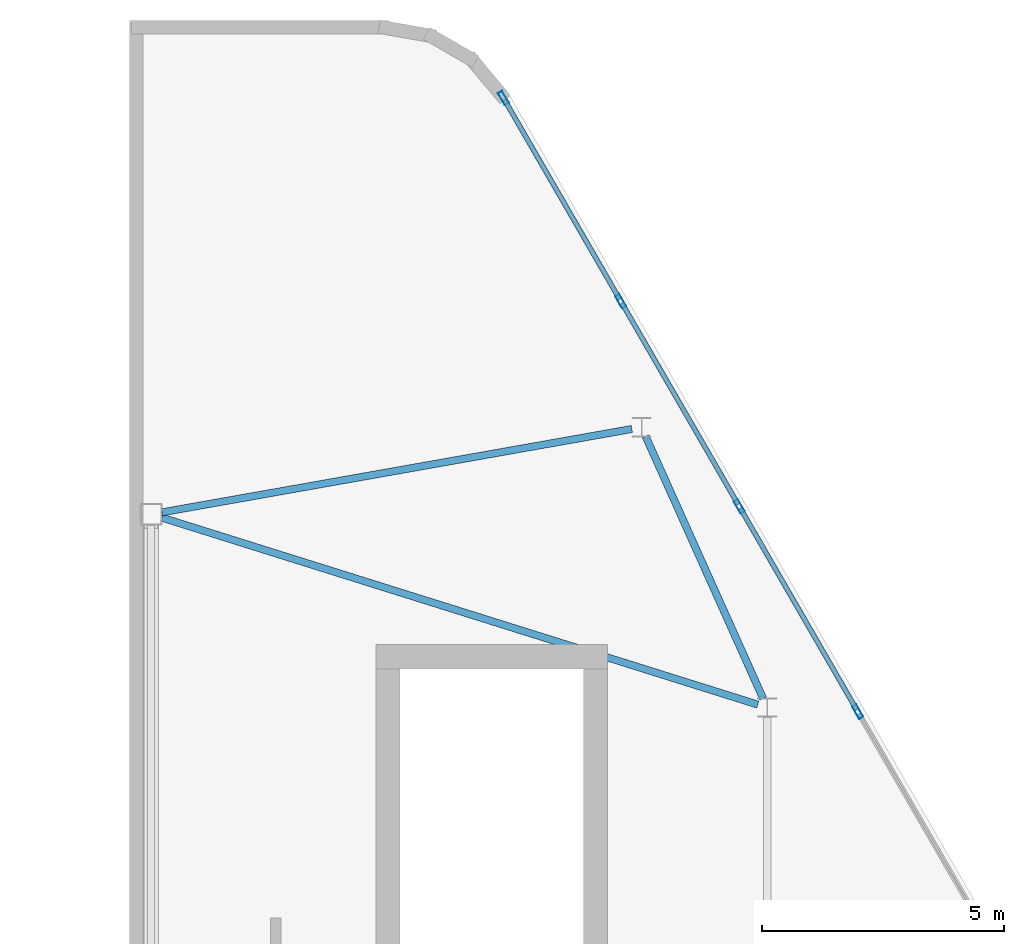
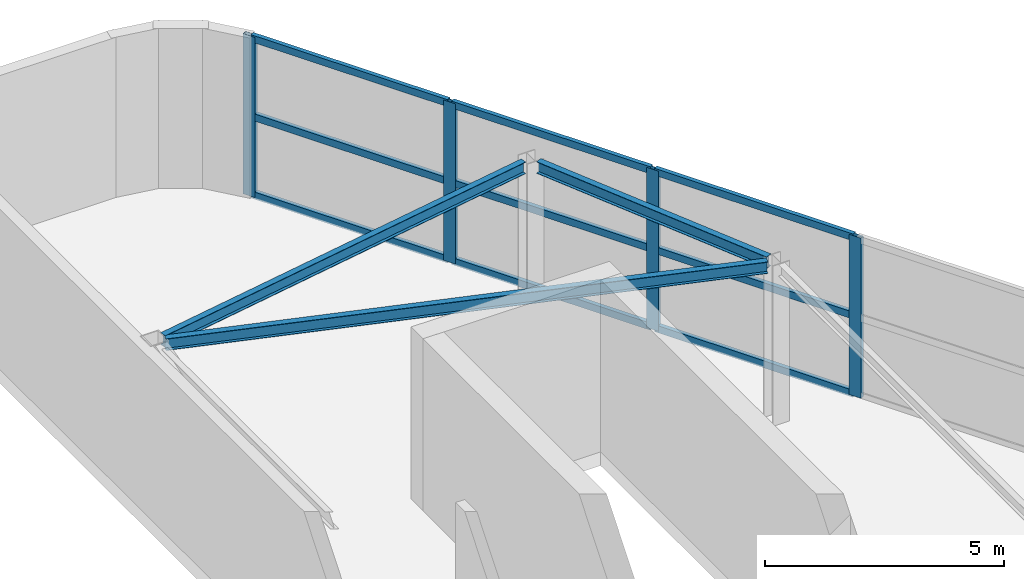
# One storey, part 5 of 8: 13 members, 3 beams, 1 element without a shape of its own.
"""IFC4 building model written with IfcOpenShell, lengths in metres."""

from ifc_helpers import new_model, si_unit, direction, frame, origin, origin_2d, place, context, subcontext, project, spatial, hollow_rectangle, i_section, extrude, material, material_profile, profile_set, type_object, element, aggregate, save


model = new_model("IFC4")

# Units and contexts
model_context = context("Model", 3, precision=1e-05, world=origin(), true_north=direction((0.0, 1.0)))
body_context = subcontext(model_context, "Body", "Model", "MODEL_VIEW")
ifc_project = project(units=[si_unit("LENGTHUNIT", "METRE"), si_unit("AREAUNIT", "SQUARE_METRE"), si_unit("VOLUMEUNIT", "CUBIC_METRE"), si_unit("PLANEANGLEUNIT", "RADIAN"), si_unit("MASSUNIT", "GRAM", prefix="KILO")], contexts=[model_context])

# Site, building, storey
site_placement = place(None, origin())
site = spatial("IfcSite", under=ifc_project, at=site_placement, CompositionType="ELEMENT")
building_placement = place(site_placement, origin())
building = spatial("IfcBuilding", under=site, at=building_placement, Name="Zuhravey Tower", CompositionType="ELEMENT")
storey_placement = place(building_placement, frame((0.0, 0.0, 383.39990234375)))
storey = spatial("IfcBuildingStorey", under=building, at=storey_placement, Name="L97", CompositionType="ELEMENT", Elevation=383.39990234375)

# Beams
ifc_material_1 = material(Name="Steel SM355", Category="steel")
ifc_material_profile_1 = material_profile(ifc_material_1, i_section(OverallWidth=0.14990234375, OverallDepth=0.300048828125, WebThickness=0.007080078125, FlangeThickness=0.010009765625, at=origin_2d()), Name="H-300x150x7x10")
ifc_profile_set_1 = profile_set([ifc_material_profile_1], Name="Steel SM355")
beam_type = type_object("IfcBeamType", Name="Crown Roof Purlin H300x150", PredefinedType="USERDEFINED", material=ifc_profile_set_1)
beam_1_placement = place(storey_placement, frame((56.116455078125, 42.18603515625, 3.9501953125), z_axis=(-0.409053547057, 0.912510381113, 0.0), x_axis=(-0.912510381113, -0.409053547057, 0.0)))
element("IfcBeam", 1, at=beam_1_placement, inside=storey, type_object=beam_type, Name="L97 CRP1 BM-L97-ECR-1-3", ObjectType="PURLIN", PredefinedType="USERDEFINED", context=body_context, shape_type="SweptSolid", body=[
    extrude(i_section(OverallWidth=0.14990234375, OverallDepth=0.300048828125, WebThickness=0.007080078125, FlangeThickness=0.010009765625, at=origin_2d()), origin(), (0.0, 0.0, 1.0), 5.9482421875),
])
beam_2_placement = place(storey_placement, frame((53.399169921875, 47.764404296875, 3.9501953125), z_axis=(-0.984637117377, -0.174613135483, 0.0), x_axis=(0.174613135483, -0.984637117377, 0.0)))
element("IfcBeam", 2, at=beam_2_placement, inside=storey, type_object=beam_type, Name="L97 CRP1 BM-L97-ECR-3-6", ObjectType="PURLIN", PredefinedType="USERDEFINED", context=body_context, shape_type="SweptSolid", body=[
    extrude(i_section(OverallWidth=0.14990234375, OverallDepth=0.300048828125, WebThickness=0.007080078125, FlangeThickness=0.010009765625, at=origin_2d()), origin(), (0.0, 0.0, 1.0), 9.875244140625),
])
beam_3_placement = place(storey_placement, frame((56.00537109375, 42.06103515625, 3.9501953125), z_axis=(-0.954147439285, 0.299337040984, 0.0), x_axis=(-0.299337040984, -0.954147439285, 0.0)))
element("IfcBeam", 3, at=beam_3_placement, inside=storey, type_object=beam_type, Name="L97 CRP1 BM-L97-ECR-1-6", ObjectType="PURLIN", PredefinedType="USERDEFINED", context=body_context, shape_type="SweptSolid", body=[
    extrude(i_section(OverallWidth=0.14990234375, OverallDepth=0.300048828125, WebThickness=0.007080078125, FlangeThickness=0.010009765625, at=origin_2d()), origin(), (0.0, 0.0, 1.0), 12.9296875),
])

# Curtain wall, members
ifc_material_2 = material(Name="Thermally broken anodised aluminium", Category="aluminium")
curtain_wall_type = type_object("IfcCurtainWallType", Name="Split-Top Crown Screened Curtain Wall CW6", PredefinedType="NOTDEFINED", material=ifc_material_2)
curtain_wall_placement = place(storey_placement, origin())
curtain_wall = element("IfcCurtainWall", 4, at=curtain_wall_placement, inside=storey, type_object=curtain_wall_type, Name="L97 CW6 CW6-L97-EAST-04", PredefinedType="NOTDEFINED")
ifc_material_3 = material(Name="Anodised aluminium", Category="aluminium")
ifc_material_profile_2 = material_profile(ifc_material_3, hollow_rectangle(XDim=0.10009765625, YDim=0.2900390625, WallThickness=0.006103515625, at=origin_2d()), Name="ALU-RHS-100x290x6")
ifc_profile_set_2 = profile_set([ifc_material_profile_2], Name="Anodised aluminium")
member_type_1 = type_object("IfcMemberType", Name="Heavy Tall-Storey Mullion 100x220", PredefinedType="MULLION", material=ifc_profile_set_2)
member_1_placement = place(storey_placement, frame((50.741455078125, 54.615234375, 0.0), z_axis=(0.0, 0.0, 1.0), x_axis=(0.866027063754, 0.499997124838, 0.0)))
member_1 = element("IfcMember", 5, at=member_1_placement, type_object=member_type_1, Name="CW6 mullion 1", PredefinedType="MULLION", context=body_context, shape_type="SweptSolid", body=[
    extrude(hollow_rectangle(XDim=0.10009765625, YDim=0.2900390625, WallThickness=0.006103515625, at=origin_2d()), origin(), (0.0, 0.0, 1.0), 4.10009765625),
])
member_2_placement = place(storey_placement, frame((53.16943359375, 50.409912109375, 0.0), z_axis=(0.0, 0.0, 1.0), x_axis=(0.866027063754, 0.499997124838, 0.0)))
member_2 = element("IfcMember", 6, at=member_2_placement, type_object=member_type_1, Name="CW6 mullion 2", PredefinedType="MULLION", context=body_context, shape_type="SweptSolid", body=[
    extrude(hollow_rectangle(XDim=0.10009765625, YDim=0.2900390625, WallThickness=0.006103515625, at=origin_2d()), origin(), (0.0, 0.0, 1.0), 4.10009765625),
])
member_3_placement = place(storey_placement, frame((55.622314453125, 46.161376953125, 0.0), z_axis=(0.0, 0.0, 1.0), x_axis=(0.866027063754, 0.499997124838, 0.0)))
member_3 = element("IfcMember", 7, at=member_3_placement, type_object=member_type_1, Name="CW6 mullion 3", PredefinedType="MULLION", context=body_context, shape_type="SweptSolid", body=[
    extrude(hollow_rectangle(XDim=0.10009765625, YDim=0.2900390625, WallThickness=0.006103515625, at=origin_2d()), origin(), (0.0, 0.0, 1.0), 4.10009765625),
])
member_4_placement = place(storey_placement, frame((58.0751953125, 41.912841796875, 0.0), z_axis=(0.0, 0.0, 1.0), x_axis=(0.866027063754, 0.499997124838, 0.0)))
member_4 = element("IfcMember", 8, at=member_4_placement, type_object=member_type_1, Name="CW6 mullion 4", PredefinedType="MULLION", context=body_context, shape_type="SweptSolid", body=[
    extrude(hollow_rectangle(XDim=0.10009765625, YDim=0.2900390625, WallThickness=0.006103515625, at=origin_2d()), origin(), (0.0, 0.0, 1.0), 4.10009765625),
])
ifc_material_profile_3 = material_profile(ifc_material_3, hollow_rectangle(XDim=0.10009765625, YDim=0.179931640625, WallThickness=0.006103515625, at=origin_2d()), Name="ALU-RHS-100x180x6")
ifc_profile_set_3 = profile_set([ifc_material_profile_3], Name="Anodised aluminium")
member_type_2 = type_object("IfcMemberType", Name="Tall-Storey Transom 100x180", PredefinedType="USERDEFINED", material=ifc_profile_set_3)
member_5_placement = place(storey_placement, frame((50.7666015625, 54.57177734375, 0.050048828125), z_axis=(0.499965384433, -0.866045388169, 0.0), x_axis=(0.866045388169, 0.499965384433, 0.0)))
member_5 = element("IfcMember", 9, at=member_5_placement, type_object=member_type_2, Name="CW6 transom 1.1", ObjectType="TRANSOM", PredefinedType="USERDEFINED", context=body_context, shape_type="SweptSolid", body=[
    extrude(hollow_rectangle(XDim=0.10009765625, YDim=0.179931640625, WallThickness=0.006103515625, at=origin_2d()), origin(), (0.0, 0.0, 1.0), 4.755615234375),
])
member_6_placement = place(storey_placement, frame((50.7666015625, 54.57177734375, 2.050048828125), z_axis=(0.499965384433, -0.866045388169, 0.0), x_axis=(0.866045388169, 0.499965384433, 0.0)))
member_6 = element("IfcMember", 10, at=member_6_placement, type_object=member_type_2, Name="CW6 transom 1.2", ObjectType="TRANSOM", PredefinedType="USERDEFINED", context=body_context, shape_type="SweptSolid", body=[
    extrude(hollow_rectangle(XDim=0.10009765625, YDim=0.179931640625, WallThickness=0.006103515625, at=origin_2d()), origin(), (0.0, 0.0, 1.0), 4.755615234375),
])
member_7_placement = place(storey_placement, frame((50.7666015625, 54.57177734375, 4.050048828125), z_axis=(0.499965384433, -0.866045388169, 0.0), x_axis=(0.866045388169, 0.499965384433, 0.0)))
member_7 = element("IfcMember", 11, at=member_7_placement, type_object=member_type_2, Name="CW6 transom 1.3", ObjectType="TRANSOM", PredefinedType="USERDEFINED", context=body_context, shape_type="SweptSolid", body=[
    extrude(hollow_rectangle(XDim=0.10009765625, YDim=0.179931640625, WallThickness=0.006103515625, at=origin_2d()), origin(), (0.0, 0.0, 1.0), 4.755615234375),
])
member_8_placement = place(storey_placement, frame((53.1943359375, 50.36669921875, 0.050048828125), z_axis=(0.500012672123, -0.866018087407, 0.0), x_axis=(0.866018087407, 0.500012672123, 0.0)))
member_8 = element("IfcMember", 12, at=member_8_placement, type_object=member_type_2, Name="CW6 transom 2.1", ObjectType="TRANSOM", PredefinedType="USERDEFINED", context=body_context, shape_type="SweptSolid", body=[
    extrude(hollow_rectangle(XDim=0.10009765625, YDim=0.179931640625, WallThickness=0.006103515625, at=origin_2d()), origin(), (0.0, 0.0, 1.0), 4.80615234375),
])
member_9_placement = place(storey_placement, frame((53.1943359375, 50.36669921875, 2.050048828125), z_axis=(0.500012672123, -0.866018087407, 0.0), x_axis=(0.866018087407, 0.500012672123, 0.0)))
member_9 = element("IfcMember", 13, at=member_9_placement, type_object=member_type_2, Name="CW6 transom 2.2", ObjectType="TRANSOM", PredefinedType="USERDEFINED", context=body_context, shape_type="SweptSolid", body=[
    extrude(hollow_rectangle(XDim=0.10009765625, YDim=0.179931640625, WallThickness=0.006103515625, at=origin_2d()), origin(), (0.0, 0.0, 1.0), 4.80615234375),
])
member_10_placement = place(storey_placement, frame((53.1943359375, 50.36669921875, 4.050048828125), z_axis=(0.500012672123, -0.866018087407, 0.0), x_axis=(0.866018087407, 0.500012672123, 0.0)))
member_10 = element("IfcMember", 14, at=member_10_placement, type_object=member_type_2, Name="CW6 transom 2.3", ObjectType="TRANSOM", PredefinedType="USERDEFINED", context=body_context, shape_type="SweptSolid", body=[
    extrude(hollow_rectangle(XDim=0.10009765625, YDim=0.179931640625, WallThickness=0.006103515625, at=origin_2d()), origin(), (0.0, 0.0, 1.0), 4.80615234375),
])
member_11_placement = place(storey_placement, frame((55.647216796875, 46.117919921875, 0.050048828125), z_axis=(0.50003466983, -0.866005386223, 0.0), x_axis=(0.866005386223, 0.50003466983, 0.0)))
member_11 = element("IfcMember", 15, at=member_11_placement, type_object=member_type_2, Name="CW6 transom 3.1", ObjectType="TRANSOM", PredefinedType="USERDEFINED", context=body_context, shape_type="SweptSolid", body=[
    extrude(hollow_rectangle(XDim=0.10009765625, YDim=0.179931640625, WallThickness=0.006103515625, at=origin_2d()), origin(), (0.0, 0.0, 1.0), 4.805908203125),
])
member_12_placement = place(storey_placement, frame((55.647216796875, 46.117919921875, 2.050048828125), z_axis=(0.50003466983, -0.866005386223, 0.0), x_axis=(0.866005386223, 0.50003466983, 0.0)))
member_12 = element("IfcMember", 16, at=member_12_placement, type_object=member_type_2, Name="CW6 transom 3.2", ObjectType="TRANSOM", PredefinedType="USERDEFINED", context=body_context, shape_type="SweptSolid", body=[
    extrude(hollow_rectangle(XDim=0.10009765625, YDim=0.179931640625, WallThickness=0.006103515625, at=origin_2d()), origin(), (0.0, 0.0, 1.0), 4.805908203125),
])
member_13_placement = place(storey_placement, frame((55.647216796875, 46.117919921875, 4.050048828125), z_axis=(0.50003466983, -0.866005386223, 0.0), x_axis=(0.866005386223, 0.50003466983, 0.0)))
member_13 = element("IfcMember", 17, at=member_13_placement, type_object=member_type_2, Name="CW6 transom 3.3", ObjectType="TRANSOM", PredefinedType="USERDEFINED", context=body_context, shape_type="SweptSolid", body=[
    extrude(hollow_rectangle(XDim=0.10009765625, YDim=0.179931640625, WallThickness=0.006103515625, at=origin_2d()), origin(), (0.0, 0.0, 1.0), 4.805908203125),
])
aggregate(curtain_wall, [member_1, member_2, member_3, member_4, member_5, member_6, member_7, member_8, member_9, member_10, member_11, member_12, member_13])

save(model, "model.ifc")
